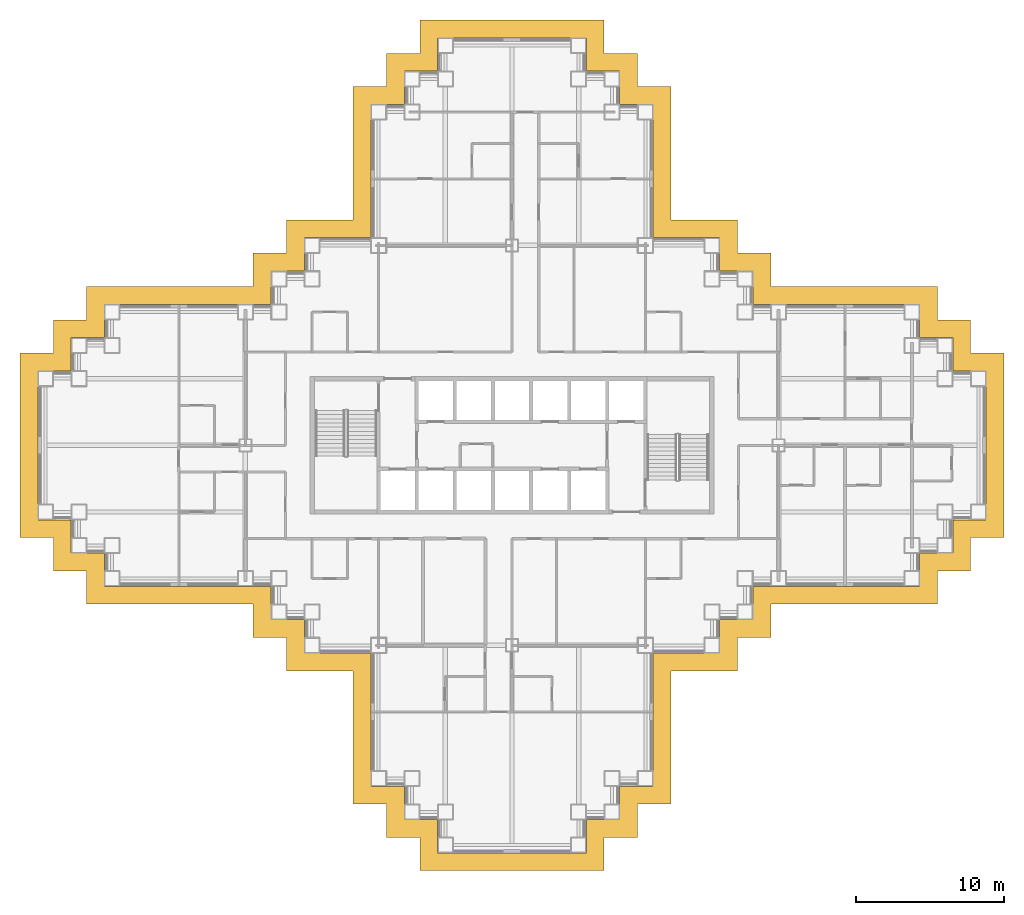
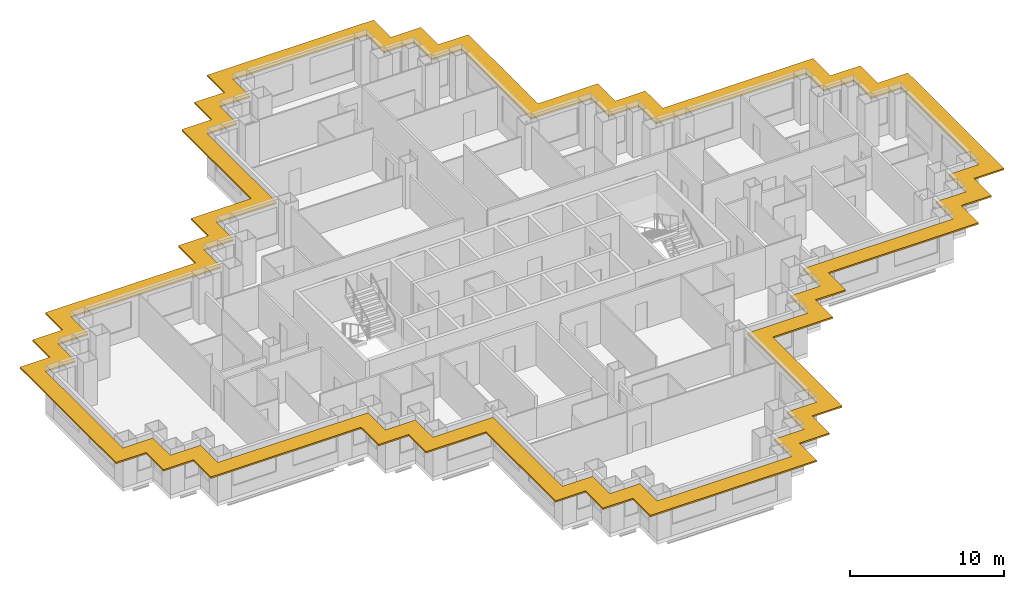
# One storey, part 13 of 14: 1 shading device.
"""IFC4 building model written with IfcOpenShell, lengths in metres."""

from ifc_helpers import new_model, si_unit, direction, frame, origin, place, context, subcontext, project, spatial, polyline, outline, extrude, material, layer, layer_set, type_object, element, save


model = new_model("IFC4")

# Units and contexts
model_context = context("Model", 3, precision=1e-05, world=origin(), true_north=direction((0.0, 1.0)))
body_context = subcontext(model_context, "Body", "Model", "MODEL_VIEW")
ifc_project = project(units=[si_unit("LENGTHUNIT", "METRE"), si_unit("AREAUNIT", "SQUARE_METRE"), si_unit("VOLUMEUNIT", "CUBIC_METRE"), si_unit("PLANEANGLEUNIT", "RADIAN"), si_unit("MASSUNIT", "GRAM", prefix="KILO")], contexts=[model_context])

# Site, building, storey
site_placement = place(None, origin())
site = spatial("IfcSite", under=ifc_project, at=site_placement, CompositionType="ELEMENT")
building_placement = place(site_placement, origin())
building = spatial("IfcBuilding", under=site, at=building_placement, Name="Caravel Reach Hotel and Residences", CompositionType="ELEMENT")
storey_placement = place(building_placement, frame((0.0, 0.0, 40.800048828125)))
storey = spatial("IfcBuildingStorey", under=building, at=storey_placement, Name="L08", CompositionType="ELEMENT", Elevation=40.800048828125)

# Shading device
ifc_material = material(Name="Black powder-coated aluminium", Category="aluminium")
ifc_layer = layer(ifc_material, 0.1201171875)
ifc_layer_set = layer_set([ifc_layer], Name="SS1 Sunshade band 1200")
shading_device_type = type_object("IfcShadingDeviceType", Name="SS1 Sunshade band 1200", PredefinedType="USERDEFINED", material=ifc_layer_set)
shading_device_placement = place(storey_placement, frame((0.0, 0.0, 3.0400390625)))
element("IfcShadingDevice", 1, at=shading_device_placement, inside=storey, type_object=shading_device_type, Name="Sunshade L08 1", ObjectType="SUNSHADE", PredefinedType="USERDEFINED", context=body_context, shape_type="SweptSolid", body=[
    extrude(outline(polyline([(20.77490234375, 11.77490234375), (20.77490234375, 2.77490234375), (23.02490234375, 2.77490234375), (23.02490234375, 0.52490234375), (25.27490234375, 0.52490234375), (25.27490234375, -1.72509765625), (37.72509765625, -1.72509765625), (37.72509765625, 0.52490234375), (39.97509765625, 0.52490234375), (39.97509765625, 2.77490234375), (42.22509765625, 2.77490234375), (42.22509765625, 11.77490234375), (46.72509765625, 11.77490234375), (46.72509765625, 14.02490234375), (48.97509765625, 14.02490234375), (48.97509765625, 16.27490234375), (60.22509765625, 16.27490234375), (60.22509765625, 18.52490234375), (62.47509765625, 18.52490234375), (62.47509765625, 20.77490234375), (64.72509765625, 20.77490234375), (64.72509765625, 33.22509765625), (62.47509765625, 33.22509765625), (62.47509765625, 35.47509765625), (60.22509765625, 35.47509765625), (60.22509765625, 37.72509765625), (48.97509765625, 37.72509765625), (48.97509765625, 39.97509765625), (46.72509765625, 39.97509765625), (46.72509765625, 42.22509765625), (42.22509765625, 42.22509765625), (42.22509765625, 51.22509765625), (39.97509765625, 51.22509765625), (39.97509765625, 53.47509765625), (37.72509765625, 53.47509765625), (37.72509765625, 55.72509765625), (25.27490234375, 55.72509765625), (25.27490234375, 53.47509765625), (23.02490234375, 53.47509765625), (23.02490234375, 51.22509765625), (20.77490234375, 51.22509765625), (20.77490234375, 42.22509765625), (16.27490234375, 42.22509765625), (16.27490234375, 39.97509765625), (14.02490234375, 39.97509765625), (14.02490234375, 37.72509765625), (2.77490234375, 37.72509765625), (2.77490234375, 35.47509765625), (0.52490234375, 35.47509765625), (0.52490234375, 33.22509765625), (-1.72509765625, 33.22509765625), (-1.72509765625, 20.77490234375), (0.52490234375, 20.77490234375), (0.52490234375, 18.52490234375), (2.77490234375, 18.52490234375), (2.77490234375, 16.27490234375), (14.02490234375, 16.27490234375), (14.02490234375, 14.02490234375), (16.27490234375, 14.02490234375), (16.27490234375, 11.77490234375), (20.77490234375, 11.77490234375)]), holes=[polyline([(24.22509765625, 3.97509765625), (21.97509765625, 3.97509765625), (21.97509765625, 12.97509765625), (17.47509765625, 12.97509765625), (17.47509765625, 15.22509765625), (15.22509765625, 15.22509765625), (15.22509765625, 17.47509765625), (3.97509765625, 17.47509765625), (3.97509765625, 19.72509765625), (1.72509765625, 19.72509765625), (1.72509765625, 21.97509765625), (-0.52490234375, 21.97509765625), (-0.52490234375, 32.02490234375), (1.72509765625, 32.02490234375), (1.72509765625, 34.27490234375), (3.97509765625, 34.27490234375), (3.97509765625, 36.52490234375), (15.22509765625, 36.52490234375), (15.22509765625, 38.77490234375), (17.47509765625, 38.77490234375), (17.47509765625, 41.02490234375), (21.97509765625, 41.02490234375), (21.97509765625, 50.02490234375), (24.22509765625, 50.02490234375), (24.22509765625, 52.27490234375), (26.47509765625, 52.27490234375), (26.47509765625, 54.52490234375), (36.52490234375, 54.52490234375), (36.52490234375, 52.27490234375), (38.77490234375, 52.27490234375), (38.77490234375, 50.02490234375), (41.02490234375, 50.02490234375), (41.02490234375, 41.02490234375), (45.52490234375, 41.02490234375), (45.52490234375, 38.77490234375), (47.77490234375, 38.77490234375), (47.77490234375, 36.52490234375), (59.02490234375, 36.52490234375), (59.02490234375, 34.27490234375), (61.27490234375, 34.27490234375), (61.27490234375, 32.02490234375), (63.52490234375, 32.02490234375), (63.52490234375, 21.97509765625), (61.27490234375, 21.97509765625), (61.27490234375, 19.72509765625), (59.02490234375, 19.72509765625), (59.02490234375, 17.47509765625), (47.77490234375, 17.47509765625), (47.77490234375, 15.22509765625), (45.52490234375, 15.22509765625), (45.52490234375, 12.97509765625), (41.02490234375, 12.97509765625), (41.02490234375, 3.97509765625), (38.77490234375, 3.97509765625), (38.77490234375, 1.72509765625), (36.52490234375, 1.72509765625), (36.52490234375, -0.52490234375), (26.47509765625, -0.52490234375), (26.47509765625, 1.72509765625), (24.22509765625, 1.72509765625), (24.22509765625, 3.97509765625)])]), origin(), (0.0, 0.0, 1.0), 0.119873046875),
])

save(model, "model.ifc")
